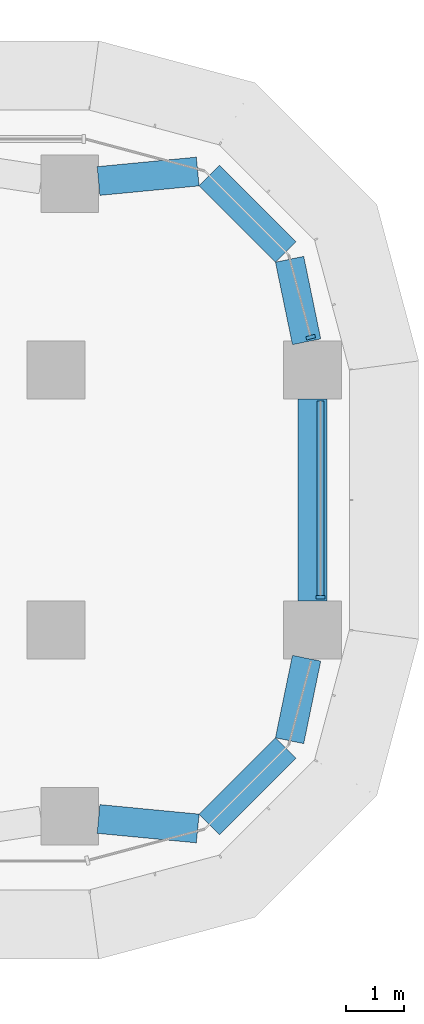
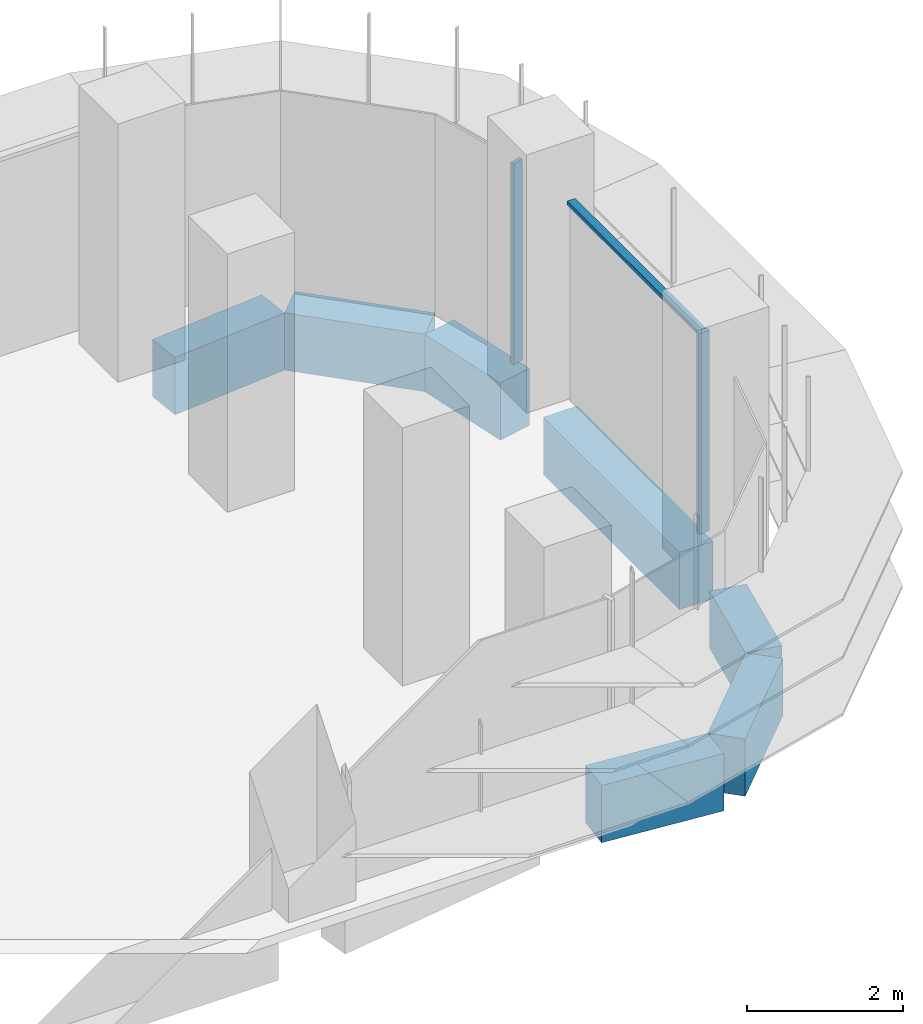
# One storey, part 11 of 23: 7 beams, 3 members, 2 elements without a shape of their own.
"""IFC4 building model written with IfcOpenShell, lengths in metres."""

from ifc_helpers import new_model, si_unit, direction, frame, origin, origin_2d, place, context, subcontext, project, spatial, polyline, rectangle, outline, extrude, source, transform, mapped, material, material_profile, profile_set, type_object, element, aggregate, save


model = new_model("IFC4")

# Units and contexts
model_context = context("Model", 3, precision=1e-05, world=origin(), true_north=direction((0.0, 1.0)))
body_context = subcontext(model_context, "Body", "Model", "MODEL_VIEW")
ifc_project = project(units=[si_unit("LENGTHUNIT", "METRE"), si_unit("AREAUNIT", "SQUARE_METRE"), si_unit("VOLUMEUNIT", "CUBIC_METRE"), si_unit("PLANEANGLEUNIT", "RADIAN"), si_unit("MASSUNIT", "GRAM", prefix="KILO")], contexts=[model_context])

# Site, building, storey
site_placement = place(None, origin())
site = spatial("IfcSite", under=ifc_project, at=site_placement, CompositionType="ELEMENT")
building_placement = place(site_placement, origin())
building = spatial("IfcBuilding", under=site, at=building_placement, Name="Zarbagh Exchange Tower", CompositionType="ELEMENT")
storey_placement = place(building_placement, frame((0.0, 0.0, 31.199951171875)))
storey = spatial("IfcBuildingStorey", under=building, at=storey_placement, Name="L06", CompositionType="ELEMENT", Elevation=31.199951171875)

# Beams
ifc_material_1 = material(Name="Concrete C60/75", Category="concrete")
ifc_material_profile = material_profile(ifc_material_1, rectangle(XDim=0.5, YDim=0.89990234375, at=origin_2d()), Name="RC spandrel beam 500 x 900 C60/75")
ifc_profile_set = profile_set([ifc_material_profile], Name="Concrete C60/75")
beam_type = type_object("IfcBeamType", Name="RC spandrel beam 500 x 900 C60/75", PredefinedType="SPANDREL", material=ifc_profile_set)
beam_1_placement = place(storey_placement, frame((29.40576171875, 5.522705078125, -0.599853515625), z_axis=(0.995431032456, 0.095483294999, 0.0), x_axis=(-0.095483294999, 0.995431032456, 0.0)))
element("IfcBeam", 1, at=beam_1_placement, inside=storey, type_object=beam_type, Name="RC spandrel beam", PredefinedType="SPANDREL", context=body_context, shape_type="SweptSolid", body=[
    extrude(rectangle(XDim=0.5, YDim=0.89990234375, at=origin_2d()), origin(), (0.0, 0.0, 1.0), 1.725830078125),
])
beam_2_placement = place(storey_placement, frame((31.324462890625, 5.615478515625, -0.599853515625), z_axis=(0.707172099812, -0.707041456527, 0.0), x_axis=(0.707041456527, 0.707172099812, 0.0)))
element("IfcBeam", 2, at=beam_2_placement, inside=storey, type_object=beam_type, Name="RC spandrel beam", PredefinedType="SPANDREL", context=body_context, shape_type="SweptSolid", body=[
    extrude(rectangle(XDim=0.5, YDim=0.89990234375, at=origin_2d()), origin(), (0.0, 0.0, 1.0), 1.86865234375),
])
beam_3_placement = place(storey_placement, frame((32.714111328125, 4.16796875, -0.599853515625), z_axis=(0.202068589164, -0.9793713725, 0.0), x_axis=(0.9793713725, 0.202068589164, 0.0)))
element("IfcBeam", 3, at=beam_3_placement, inside=storey, type_object=beam_type, Name="RC spandrel beam", PredefinedType="SPANDREL", context=body_context, shape_type="SweptSolid", body=[
    extrude(rectangle(XDim=0.5, YDim=0.89990234375, at=origin_2d()), origin(), (0.0, 0.0, 1.0), 1.458251953125),
])
beam_4_placement = place(storey_placement, frame((33.110107421875, 1.75, -0.599853515625), z_axis=(0.0, -1.0, 0.0), x_axis=(1.0, 0.0, 0.0)))
element("IfcBeam", 4, at=beam_4_placement, inside=storey, type_object=beam_type, Name="RC spandrel beam", PredefinedType="SPANDREL", context=body_context, shape_type="SweptSolid", body=[
    extrude(rectangle(XDim=0.5, YDim=0.89990234375, at=origin_2d()), origin(), (0.0, 0.0, 1.0), 3.5),
])
beam_5_placement = place(storey_placement, frame((33.0087890625, -2.73974609375, -0.599853515625), z_axis=(-0.202068589164, -0.9793713725, 0.0), x_axis=(0.9793713725, -0.202068589164, 0.0)))
element("IfcBeam", 5, at=beam_5_placement, inside=storey, type_object=beam_type, Name="RC spandrel beam", PredefinedType="SPANDREL", context=body_context, shape_type="SweptSolid", body=[
    extrude(rectangle(XDim=0.5, YDim=0.89990234375, at=origin_2d()), origin(), (0.0, 0.0, 1.0), 1.458251953125),
])
beam_6_placement = place(storey_placement, frame((32.64599609375, -4.294189453125, -0.599853515625), z_axis=(-0.707172099812, -0.707041456527, 0.0), x_axis=(0.707041456527, -0.707172099812, 0.0)))
element("IfcBeam", 6, at=beam_6_placement, inside=storey, type_object=beam_type, Name="RC spandrel beam", PredefinedType="SPANDREL", context=body_context, shape_type="SweptSolid", body=[
    extrude(rectangle(XDim=0.5, YDim=0.89990234375, at=origin_2d()), origin(), (0.0, 0.0, 1.0), 1.86865234375),
])
beam_7_placement = place(storey_placement, frame((31.123779296875, -5.6875, -0.599853515625), z_axis=(-0.995431032456, 0.095483294999, 0.0), x_axis=(-0.095483294999, -0.995431032456, 0.0)))
element("IfcBeam", 7, at=beam_7_placement, inside=storey, type_object=beam_type, Name="RC spandrel beam", PredefinedType="SPANDREL", context=body_context, shape_type="SweptSolid", body=[
    extrude(rectangle(XDim=0.5, YDim=0.89990234375, at=origin_2d()), origin(), (0.0, 0.0, 1.0), 1.725830078125),
])

# Curtain wall, member
ifc_material_2 = material(Name="Anodised aluminium frame and glazing", Category="aluminium")
curtain_wall_type = type_object("IfcCurtainWallType", Name="CWA Ribbon glazing, lower zones", PredefinedType="NOTDEFINED", material=ifc_material_2)
curtain_wall_1_placement = place(storey_placement, origin())
curtain_wall_1 = element("IfcCurtainWall", 8, at=curtain_wall_1_placement, inside=storey, type_object=curtain_wall_type, Name="CWA12 curtain wall", PredefinedType="NOTDEFINED")
ifc_material_3 = material(Name="Anodised aluminium frame", Category="aluminium")
member_type_1 = type_object("IfcMemberType", Name="MUA Mullion, anodised aluminium frame", PredefinedType="MULLION", material=ifc_material_3)
shared_shape_1 = source(origin(), body_context, "Body", "SweptSolid", [
    extrude(outline(polyline([(0.0, -0.080078125), (0.06005859375, -0.080078125), (0.06005859375, 0.080078125), (0.0, 0.080078125), (0.0, -0.080078125)])), origin(), (0.0, 0.0, 1.0), 3.14990234375),
])
placement = place(storey_placement, origin())
member_1 = element("IfcMember", 9, at=placement, type_object=member_type_1, Name="CWA12 mullion 1.1", PredefinedType="MULLION", context=body_context, shape_type="MappedRepresentation", body=[
    mapped(shared_shape_1, transform((33.25, -1.7099609375, 0.0), x_axis=(0.0, 1.0, 0.0), y_axis=(-1.0, 0.0, 0.0), z_axis=(0.0, 0.0, 1.0))),
])

curtain_wall_2_placement = place(storey_placement, origin())
curtain_wall_2 = element("IfcCurtainWall", 10, at=curtain_wall_2_placement, inside=storey, type_object=curtain_wall_type, Name="CWA13 curtain wall", PredefinedType="NOTDEFINED")
member_2 = element("IfcMember", 11, at=placement, type_object=member_type_1, Name="CWA13 mullion 1.1", PredefinedType="MULLION", context=body_context, shape_type="MappedRepresentation", body=[
    mapped(shared_shape_1, transform((33.087646484375, 2.7900390625, 0.0), x_axis=(-0.258824779902, 0.965924289636, 0.0), y_axis=(-0.965924289636, -0.258824779902, 0.0), z_axis=(0.0, 0.0, 1.0))),
])
aggregate(curtain_wall_2, [member_2])

# Member
member_type_2 = type_object("IfcMemberType", Name="TRA Transom, anodised aluminium frame", PredefinedType="USERDEFINED", material=ifc_material_3)
shared_shape_2 = source(origin(), body_context, "Body", "SweptSolid", [
    extrude(outline(polyline([(-0.06005859375, -0.06005859375), (0.0, -0.06005859375), (0.0, 0.06005859375), (-0.06005859375, 0.06005859375), (-0.06005859375, -0.06005859375)])), origin(), (0.0, 0.0, 1.0), 3.360107421875),
])
member_3 = element("IfcMember", 12, at=placement, type_object=member_type_2, Name="CWA12 transom 1.1", ObjectType="TRANSOM", PredefinedType="USERDEFINED", context=body_context, shape_type="MappedRepresentation", body=[
    mapped(shared_shape_2, transform((33.25, -1.64990234375, 3.150146484375), x_axis=(0.0, 0.0, 1.0), y_axis=(1.0, 0.0, 0.0), z_axis=(0.0, 1.0, 0.0))),
])

aggregate(curtain_wall_1, [member_1, member_3])

save(model, "model.ifc")
